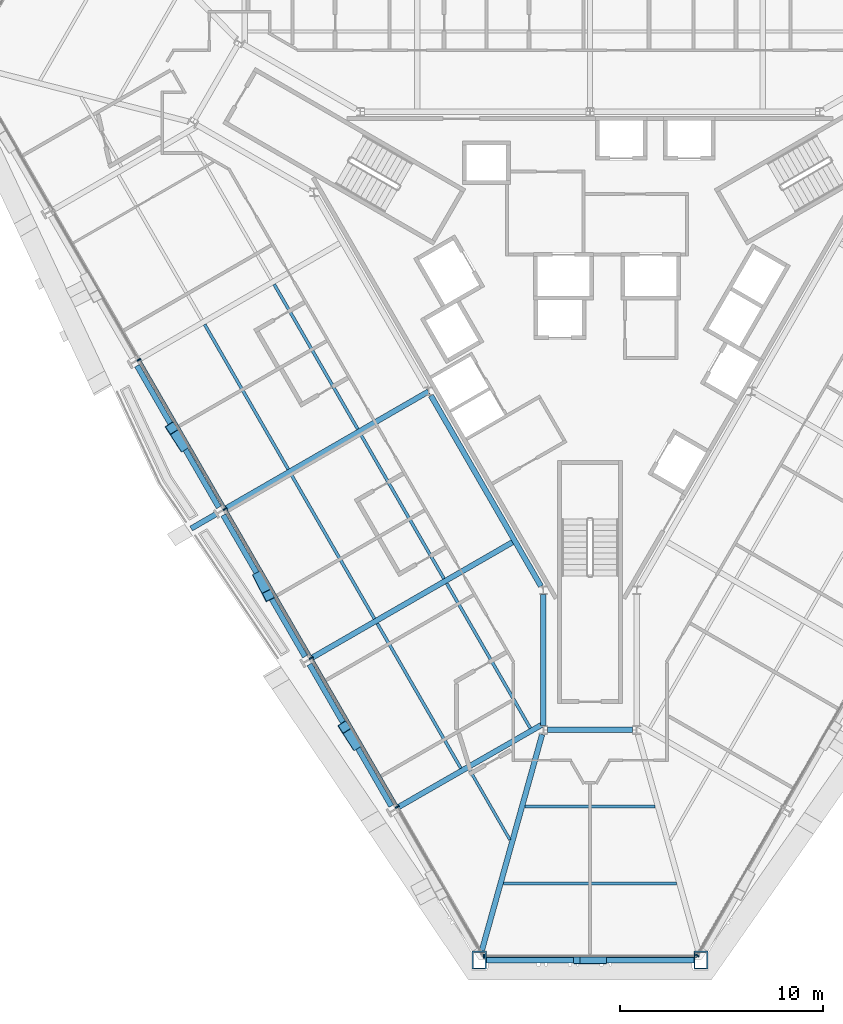
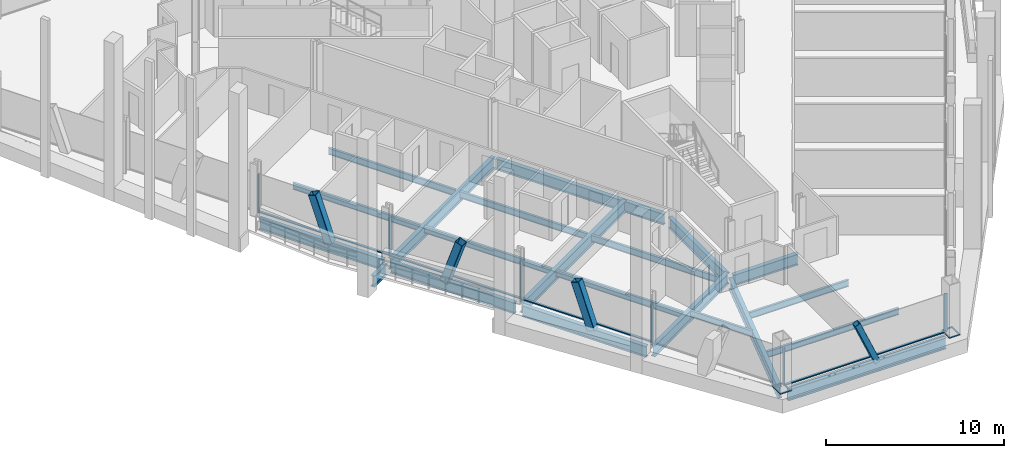
# One storey, part 3 of 18: 21 beams, 16 members, 3 elements without a shape of their own.
"""IFC4 building model written with IfcOpenShell, lengths in metres."""

from ifc_helpers import new_model, si_unit, direction, frame, origin, origin_2d, place, context, subcontext, project, spatial, rectangle, hollow_rectangle, i_section, extrude, material, material_profile, profile_set, type_object, element, aggregate, save


model = new_model("IFC4")

# Units and contexts
model_context = context("Model", 3, precision=1e-05, world=origin(), true_north=direction((0.0, 1.0)))
body_context = subcontext(model_context, "Body", "Model", "MODEL_VIEW")
ifc_project = project(units=[si_unit("LENGTHUNIT", "METRE"), si_unit("AREAUNIT", "SQUARE_METRE"), si_unit("VOLUMEUNIT", "CUBIC_METRE"), si_unit("PLANEANGLEUNIT", "RADIAN"), si_unit("MASSUNIT", "GRAM", prefix="KILO")], contexts=[model_context])

# Site, building, storey
site_placement = place(None, origin())
site = spatial("IfcSite", under=ifc_project, at=site_placement, CompositionType="ELEMENT")
building_placement = place(site_placement, origin())
building = spatial("IfcBuilding", under=site, at=building_placement, Name="Verrane Prism Tower", CompositionType="ELEMENT")
storey_placement = place(building_placement, frame((0.0, 0.0, 47.60009765625)))
storey = spatial("IfcBuildingStorey", under=building, at=storey_placement, Name="L09", CompositionType="ELEMENT", Elevation=47.60009765625)

# Member
ifc_material_1 = material(Name="Steel A500 Grade C", Category="steel")
ifc_material_profile_1 = material_profile(ifc_material_1, hollow_rectangle(XDim=0.355712890625, YDim=0.355712890625, WallThickness=0.0126953125, InnerFilletRadius=0.00634765625, OuterFilletRadius=0.01904296875, at=origin_2d()), Name="HSS14x14x1/2")
ifc_profile_set_1 = profile_set([ifc_material_profile_1], Name="Steel A500 Grade C")
member_type_1 = type_object("IfcMemberType", Name="Chamfer brace HSS14x14x1/2", PredefinedType="BRACE", material=ifc_profile_set_1)
member_1_placement = place(storey_placement, frame((0.65185546875, -32.659912109375, -0.2451171875), z_axis=(-0.3982352051, 0.0, 0.917283337589), x_axis=(0.0, -1.0, 0.0)))
element("IfcMember", 1, at=member_1_placement, inside=storey, type_object=member_type_1, Name="Chamfer brace S0 L09", PredefinedType="BRACE", context=body_context, shape_type="SweptSolid", body=[
    extrude(hollow_rectangle(XDim=0.355712890625, YDim=0.355712890625, WallThickness=0.0126953125, InnerFilletRadius=0.00634765625, OuterFilletRadius=0.01904296875, at=origin_2d()), origin(), (0.0, 0.0, 1.0), 3.273681640625),
])

# Beams
ifc_material_2 = material(Name="Steel A992", Category="steel")
ifc_material_profile_2 = material_profile(ifc_material_2, i_section(OverallWidth=0.2666015625, OverallDepth=0.76708984375, WebThickness=0.014892578125, FlangeThickness=0.023681640625, FilletRadius=0.0166015625, at=origin_2d()), Name="W30x124")
ifc_profile_set_2 = profile_set([ifc_material_profile_2], Name="Steel A992")
beam_type_1 = type_object("IfcBeamType", Name="Chamfer spandrel beam W30x124", PredefinedType="SPANDREL", material=ifc_profile_set_2)
beam_1_placement = place(storey_placement, frame((-5.1201171875, -32.659912109375, -0.543701171875), z_axis=(1.0, 0.0, 0.0), x_axis=(0.0, 1.0, 0.0)))
element("IfcBeam", 2, at=beam_1_placement, inside=storey, type_object=beam_type_1, Name="Chamfer spandrel beam L09", PredefinedType="SPANDREL", context=body_context, shape_type="SweptSolid", body=[
    extrude(i_section(OverallWidth=0.2666015625, OverallDepth=0.76708984375, WebThickness=0.014892578125, FlangeThickness=0.023681640625, FilletRadius=0.0166015625, at=origin_2d()), origin(), (0.0, 0.0, 1.0), 10.240234375),
])
ifc_material_3 = material(Name="Steel A992", Category="steel")
ifc_material_profile_3 = material_profile(ifc_material_3, i_section(OverallWidth=0.2666015625, OverallDepth=0.7568359375, WebThickness=0.013916015625, FlangeThickness=0.019287109375, FilletRadius=0.0166015625, at=origin_2d()), Name="W30x108")
ifc_profile_set_3 = profile_set([ifc_material_profile_3], Name="Steel A992")
beam_type_2 = type_object("IfcBeamType", Name="Core ring girder W30x108", PredefinedType="BEAM", material=ifc_profile_set_3)
beam_2_placement = place(storey_placement, frame((-7.849609375, -4.808349609375, -0.628662109375), z_axis=(0.500013103396, -0.866017838403, 0.0), x_axis=(0.866017838403, 0.500013103396, 0.0)))
element("IfcBeam", 3, at=beam_2_placement, inside=storey, type_object=beam_type_2, Name="Core ring girder L09", PredefinedType="BEAM", context=body_context, shape_type="SweptSolid", body=[
    extrude(i_section(OverallWidth=0.2666015625, OverallDepth=0.7568359375, WebThickness=0.013916015625, FlangeThickness=0.019287109375, FilletRadius=0.0166015625, at=origin_2d()), origin(), (0.0, 0.0, 1.0), 10.858154296875),
])
beam_3_placement = place(storey_placement, frame((-2.300048828125, -14.62841796875, -0.628662109375), z_axis=(0.0, -1.0, 0.0), x_axis=(1.0, 0.0, 0.0)))
element("IfcBeam", 4, at=beam_3_placement, inside=storey, type_object=beam_type_2, Name="Core ring girder L09", PredefinedType="BEAM", context=body_context, shape_type="SweptSolid", body=[
    extrude(i_section(OverallWidth=0.2666015625, OverallDepth=0.7568359375, WebThickness=0.013916015625, FlangeThickness=0.019287109375, FilletRadius=0.0166015625, at=origin_2d()), origin(), (0.0, 0.0, 1.0), 6.4443359375),
])
beam_4_placement = place(storey_placement, frame((-2.09033203125, -21.300048828125, -0.628662109375), z_axis=(1.0, 0.0, 0.0), x_axis=(0.0, 1.0, 0.0)))
element("IfcBeam", 5, at=beam_4_placement, inside=storey, type_object=beam_type_2, Name="Core ring girder L09", PredefinedType="BEAM", context=body_context, shape_type="SweptSolid", body=[
    extrude(i_section(OverallWidth=0.2666015625, OverallDepth=0.7568359375, WebThickness=0.013916015625, FlangeThickness=0.019287109375, FilletRadius=0.0166015625, at=origin_2d()), origin(), (0.0, 0.0, 1.0), 4.1806640625),
])
ifc_material_4 = material(Name="Steel A992", Category="steel")
ifc_material_profile_4 = material_profile(ifc_material_4, i_section(OverallWidth=0.2666015625, OverallDepth=0.76708984375, WebThickness=0.014892578125, FlangeThickness=0.023681640625, FilletRadius=0.0166015625, at=origin_2d()), Name="W30x124")
ifc_profile_set_4 = profile_set([ifc_material_profile_4], Name="Steel A992")
beam_type_3 = type_object("IfcBeamType", Name="Corner girder W30x124", PredefinedType="BEAM", material=ifc_profile_set_4)
beam_5_placement = place(storey_placement, frame((-5.344482421875, -32.2099609375, -0.603515625), z_axis=(0.268799442753, 0.963196168792, 0.0), x_axis=(-0.963196168792, 0.268799442753, 0.0)))
element("IfcBeam", 6, at=beam_5_placement, inside=storey, type_object=beam_type_3, Name="Corner girder L09", PredefinedType="BEAM", context=body_context, shape_type="SweptSolid", body=[
    extrude(i_section(OverallWidth=0.2666015625, OverallDepth=0.76708984375, WebThickness=0.014892578125, FlangeThickness=0.023681640625, FilletRadius=0.0166015625, at=origin_2d()), origin(), (0.0, 0.0, 1.0), 11.0908203125),
])

# Members
ifc_material_5 = material(Name="Steel A1085 Grade A", Category="steel")
ifc_material_profile_5 = material_profile(ifc_material_5, hollow_rectangle(XDim=0.508056640625, YDim=0.508056640625, WallThickness=0.025390625, InnerFilletRadius=0.0126953125, OuterFilletRadius=0.0380859375, at=origin_2d()), Name="HSS20x20x1")
ifc_profile_set_5 = profile_set([ifc_material_profile_5], Name="Steel A1085 Grade A")
member_type_2 = type_object("IfcMemberType", Name="Facade brace HSS20x20x1", PredefinedType="BRACE", material=ifc_profile_set_5)
for number, where, z_axis, x_axis, name in (
    (7, (-20.07958984375, -7.267578125, -0.24267578125), (-0.174534548637, 0.269986732436, 0.946913330585), (-0.839800973676, -0.542894395451, 0.0), "Facade brace SW2 L09"),
    (8, (-16.332275390625, -13.755615234375, -0.24267578125), (0.146785965567, -0.286117355919, 0.946884754843), (0.889742806834, 0.456462197436, 0.0), "Facade brace SW3 L09"),
):
    element("IfcMember", number, at=place(storey_placement, frame(where, z_axis=z_axis, x_axis=x_axis)), inside=storey, type_object=member_type_2, Name=name, PredefinedType="BRACE", context=body_context, shape_type="SweptSolid", body=[
        extrude(hollow_rectangle(XDim=0.508056640625, YDim=0.508056640625, WallThickness=0.025390625, InnerFilletRadius=0.0126953125, OuterFilletRadius=0.0380859375, at=origin_2d()), origin(), (0.0, 0.0, 1.0), 3.1767578125),
    ])
member_2_placement = place(storey_placement, frame((-11.569091796875, -22.0029296875, -0.24267578125), z_axis=(-0.172116437964, 0.266257047817, 0.94841083728), x_axis=(-0.839811088153, -0.542878749092, 0.0)))
element("IfcMember", 9, at=member_2_placement, inside=storey, type_object=member_type_2, Name="Facade brace SW4 L09", PredefinedType="BRACE", context=body_context, shape_type="SweptSolid", body=[
    extrude(hollow_rectangle(XDim=0.508056640625, YDim=0.508056640625, WallThickness=0.025390625, InnerFilletRadius=0.0126953125, OuterFilletRadius=0.0380859375, at=origin_2d()), origin(), (0.0, 0.0, 1.0), 3.171630859375),
])

# Beams
ifc_material_6 = material(Name="Steel A992", Category="steel")
ifc_material_profile_6 = material_profile(ifc_material_6, i_section(OverallWidth=0.140380859375, OverallDepth=0.40380859375, WebThickness=0.007080078125, FlangeThickness=0.01123046875, FilletRadius=0.01025390625, at=origin_2d()), Name="W16x31")
ifc_profile_set_6 = profile_set([ifc_material_profile_6], Name="Steel A992")
beam_type_4 = type_object("IfcBeamType", Name="Floor beam W16x31", PredefinedType="BEAM", material=ifc_profile_set_6)
beam_6_placement = place(storey_placement, frame((-3.950927734375, -26.719970703125, -0.362060546875), z_axis=(-0.499997556188, 0.866026814715, 0.0), x_axis=(-0.866026814715, -0.499997556188, 0.0)))
element("IfcBeam", 10, at=beam_6_placement, inside=storey, type_object=beam_type_4, Name="Floor beam L09", PredefinedType="BEAM", context=body_context, shape_type="SweptSolid", body=[
    extrude(i_section(OverallWidth=0.140380859375, OverallDepth=0.40380859375, WebThickness=0.007080078125, FlangeThickness=0.01123046875, FilletRadius=0.01025390625, at=origin_2d()), origin(), (0.0, 0.0, 1.0), 3.99462890625),
])
ifc_material_7 = material(Name="Steel A992", Category="steel")
ifc_material_profile_7 = material_profile(ifc_material_7, i_section(OverallWidth=0.15234375, OverallDepth=0.449462890625, WebThickness=0.007568359375, FlangeThickness=0.0107421875, FilletRadius=0.01025390625, at=origin_2d()), Name="W18x35")
ifc_profile_set_7 = profile_set([ifc_material_profile_7], Name="Steel A992")
beam_type_5 = type_object("IfcBeamType", Name="Floor beam W18x35", PredefinedType="BEAM", material=ifc_profile_set_7)
beam_7_placement = place(storey_placement, frame((-11.4580078125, -6.461181640625, -0.385009765625), z_axis=(-0.500002492643, 0.866023964651, 0.0), x_axis=(-0.866023964651, -0.500002492643, 0.0)))
element("IfcBeam", 11, at=beam_7_placement, inside=storey, type_object=beam_type_5, Name="Floor beam L09", PredefinedType="BEAM", context=body_context, shape_type="SweptSolid", body=[
    extrude(i_section(OverallWidth=0.15234375, OverallDepth=0.449462890625, WebThickness=0.007568359375, FlangeThickness=0.0107421875, FilletRadius=0.01025390625, at=origin_2d()), origin(), (0.0, 0.0, 1.0), 8.2509765625),
])
beam_8_placement = place(storey_placement, frame((-14.887451171875, -8.44287109375, -0.385009765625), z_axis=(-0.499992194788, 0.866029910079, 0.0), x_axis=(-0.866029910079, -0.499992194788, 0.0)))
element("IfcBeam", 12, at=beam_8_placement, inside=storey, type_object=beam_type_5, Name="Floor beam L09", PredefinedType="BEAM", context=body_context, shape_type="SweptSolid", body=[
    extrude(i_section(OverallWidth=0.15234375, OverallDepth=0.449462890625, WebThickness=0.007568359375, FlangeThickness=0.0107421875, FilletRadius=0.01025390625, at=origin_2d()), origin(), (0.0, 0.0, 1.0), 8.252685546875),
])
beam_9_placement = place(storey_placement, frame((-7.2041015625, -13.841552734375, -0.385009765625), z_axis=(-0.499999059579, 0.866025946736, 0.0), x_axis=(-0.866025946736, -0.499999059579, 0.0)))
element("IfcBeam", 13, at=beam_9_placement, inside=storey, type_object=beam_type_5, Name="Floor beam L09", PredefinedType="BEAM", context=body_context, shape_type="SweptSolid", body=[
    extrude(i_section(OverallWidth=0.15234375, OverallDepth=0.449462890625, WebThickness=0.007568359375, FlangeThickness=0.0107421875, FilletRadius=0.01025390625, at=origin_2d()), origin(), (0.0, 0.0, 1.0), 8.25146484375),
])
beam_10_placement = place(storey_placement, frame((-10.63232421875, -15.819091796875, -0.385009765625), z_axis=(-0.499994031393, 0.866028849734, 0.0), x_axis=(-0.866028849734, -0.499994031393, 0.0)))
element("IfcBeam", 14, at=beam_10_placement, inside=storey, type_object=beam_type_5, Name="Floor beam L09", PredefinedType="BEAM", context=body_context, shape_type="SweptSolid", body=[
    extrude(i_section(OverallWidth=0.15234375, OverallDepth=0.449462890625, WebThickness=0.007568359375, FlangeThickness=0.0107421875, FilletRadius=0.01025390625, at=origin_2d()), origin(), (0.0, 0.0, 1.0), 8.24853515625),
])
beam_11_placement = place(storey_placement, frame((-2.944091796875, -21.2177734375, -0.385009765625), z_axis=(-0.499989680267, 0.866031361803, 0.0), x_axis=(-0.866031361803, -0.499989680267, 0.0)))
element("IfcBeam", 15, at=beam_11_placement, inside=storey, type_object=beam_type_5, Name="Floor beam L09", PredefinedType="BEAM", context=body_context, shape_type="SweptSolid", body=[
    extrude(i_section(OverallWidth=0.15234375, OverallDepth=0.449462890625, WebThickness=0.007568359375, FlangeThickness=0.0107421875, FilletRadius=0.01025390625, at=origin_2d()), origin(), (0.0, 0.0, 1.0), 8.251220703125),
])
beam_12_placement = place(storey_placement, frame((-6.370361328125, -23.196044921875, -0.385009765625), z_axis=(-0.499992194788, 0.866029910079, 0.0), x_axis=(-0.866029910079, -0.499992194788, 0.0)))
element("IfcBeam", 16, at=beam_12_placement, inside=storey, type_object=beam_type_5, Name="Floor beam L09", PredefinedType="BEAM", context=body_context, shape_type="SweptSolid", body=[
    extrude(i_section(OverallWidth=0.15234375, OverallDepth=0.449462890625, WebThickness=0.007568359375, FlangeThickness=0.0107421875, FilletRadius=0.01025390625, at=origin_2d()), origin(), (0.0, 0.0, 1.0), 8.252685546875),
])
beam_13_placement = place(storey_placement, frame((-4.274658203125, -28.873291015625, -0.385009765625), z_axis=(1.0, 0.0, 0.0), x_axis=(0.0, 1.0, 0.0)))
element("IfcBeam", 17, at=beam_13_placement, inside=storey, type_object=beam_type_5, Name="Floor beam L09", PredefinedType="BEAM", context=body_context, shape_type="SweptSolid", body=[
    extrude(i_section(OverallWidth=0.15234375, OverallDepth=0.449462890625, WebThickness=0.007568359375, FlangeThickness=0.0107421875, FilletRadius=0.01025390625, at=origin_2d()), origin(), (0.0, 0.0, 1.0), 8.54931640625),
])
beam_14_placement = place(storey_placement, frame((-3.218017578125, -25.086669921875, -0.385009765625), z_axis=(1.0, 0.0, 0.0), x_axis=(0.0, 1.0, 0.0)))
element("IfcBeam", 18, at=beam_14_placement, inside=storey, type_object=beam_type_5, Name="Floor beam L09", PredefinedType="BEAM", context=body_context, shape_type="SweptSolid", body=[
    extrude(i_section(OverallWidth=0.15234375, OverallDepth=0.449462890625, WebThickness=0.007568359375, FlangeThickness=0.0107421875, FilletRadius=0.01025390625, at=origin_2d()), origin(), (0.0, 0.0, 1.0), 6.43603515625),
])

# Members
ifc_material_8 = material(Name="Steel A572 Grade 50", Category="steel")
ifc_material_profile_8 = material_profile(ifc_material_8, hollow_rectangle(XDim=0.699951171875, YDim=0.89990234375, WallThickness=0.06494140625, at=origin_2d()), Name="BOX 900x700x65")
ifc_profile_set_8 = profile_set([ifc_material_profile_8], Name="Steel A572 Grade 50")
member_type_3 = type_object("IfcMemberType", Name="Kink node BOX 900x700x65", PredefinedType="COLLAR", material=ifc_profile_set_8)
for number, where, z_axis, x_axis, name in (
    (19, (-5.468994140625, -32.658203125, -0.0400390625), (0.0, 0.0, 1.0), (-1.0, 0.0, 0.0), "Kink node MC3 L09"),
    (20, (5.468994140625, -32.658203125, -0.0400390625), (0.0, 0.0, 1.0), (-1.0, 0.0, 0.0), "Kink node MC3 L09"),
):
    element("IfcMember", number, at=place(storey_placement, frame(where, z_axis=z_axis, x_axis=x_axis)), inside=storey, type_object=member_type_3, Name=name, PredefinedType="COLLAR", context=body_context, shape_type="SweptSolid", body=[
        extrude(hollow_rectangle(XDim=0.699951171875, YDim=0.89990234375, WallThickness=0.06494140625, at=origin_2d()), origin(), (0.0, 0.0, 1.0), 0.079833984375),
    ])

# Curtain wall, members
ifc_material_9 = material(Name="Aluminium framed insulated glazing", Category="aluminium")
curtain_wall_type = type_object("IfcCurtainWallType", Name="Curtain wall CW-A 8400 module", PredefinedType="NOTDEFINED", material=ifc_material_9)
curtain_wall_1_placement = place(storey_placement, origin())
curtain_wall_1 = element("IfcCurtainWall", 21, at=curtain_wall_1_placement, inside=storey, type_object=curtain_wall_type, Name="Glazed curtain wall south-west face L09", PredefinedType="NOTDEFINED")
ifc_material_10 = material(Name="Aluminium alloy 6063-T6", Category="aluminium")
ifc_material_profile_9 = material_profile(ifc_material_10, rectangle(XDim=0.199951171875, YDim=0.070068359375, at=origin_2d()), Name="Mullion 70x200 aluminium")
ifc_profile_set_9 = profile_set([ifc_material_profile_9], Name="Aluminium alloy 6063-T6")
member_type_4 = type_object("IfcMemberType", Name="Mullion 70x200 aluminium", PredefinedType="MULLION", material=ifc_profile_set_9)
member_3_placement = place(storey_placement, frame((-22.25146484375, -3.04150390625, 0.0), z_axis=(0.0, 0.0, 1.0), x_axis=(0.866025694591, 0.499999496308, 0.0)))
member_3 = element("IfcMember", 22, at=member_3_placement, type_object=member_type_4, Name="CW09.4 mullion 3", PredefinedType="MULLION", context=body_context, shape_type="SweptSolid", body=[
    extrude(rectangle(XDim=0.199951171875, YDim=0.070068359375, at=origin_2d()), origin(), (0.0, 0.0, 1.0), 2.61279296875),
])
member_4_placement = place(storey_placement, frame((-18.005615234375, -10.3955078125, 0.0), z_axis=(0.0, 0.0, 1.0), x_axis=(0.866025694591, 0.499999496308, 0.0)))
member_4 = element("IfcMember", 23, at=member_4_placement, type_object=member_type_4, Name="CW09.4 mullion 4", PredefinedType="MULLION", context=body_context, shape_type="SweptSolid", body=[
    extrude(rectangle(XDim=0.199951171875, YDim=0.070068359375, at=origin_2d()), origin(), (0.0, 0.0, 1.0), 2.61279296875),
])
member_5_placement = place(storey_placement, frame((-13.759521484375, -17.74951171875, 0.0), z_axis=(0.0, 0.0, 1.0), x_axis=(0.866025694591, 0.499999496308, 0.0)))
member_5 = element("IfcMember", 24, at=member_5_placement, type_object=member_type_4, Name="CW09.4 mullion 5", PredefinedType="MULLION", context=body_context, shape_type="SweptSolid", body=[
    extrude(rectangle(XDim=0.199951171875, YDim=0.070068359375, at=origin_2d()), origin(), (0.0, 0.0, 1.0), 2.61279296875),
])
member_6_placement = place(storey_placement, frame((-9.513671875, -25.103515625, 0.0), z_axis=(0.0, 0.0, 1.0), x_axis=(0.866025694591, 0.499999496308, 0.0)))
member_6 = element("IfcMember", 25, at=member_6_placement, type_object=member_type_4, Name="CW09.4 mullion 6", PredefinedType="MULLION", context=body_context, shape_type="SweptSolid", body=[
    extrude(rectangle(XDim=0.199951171875, YDim=0.070068359375, at=origin_2d()), origin(), (0.0, 0.0, 1.0), 2.61279296875),
])

# Curtain wall, member
curtain_wall_2_placement = place(storey_placement, origin())
curtain_wall_2 = element("IfcCurtainWall", 26, at=curtain_wall_2_placement, inside=storey, type_object=curtain_wall_type, Name="Glazed curtain wall south corner L09", PredefinedType="NOTDEFINED")
member_7_placement = place(storey_placement, frame((-5.23291015625, -32.457763671875, 0.0), z_axis=(0.0, 0.0, 1.0), x_axis=(0.0, 1.0, 0.0)))
member_7 = element("IfcMember", 27, at=member_7_placement, type_object=member_type_4, Name="CW09.5 mullion 1", PredefinedType="MULLION", context=body_context, shape_type="SweptSolid", body=[
    extrude(rectangle(XDim=0.199951171875, YDim=0.070068359375, at=origin_2d()), origin(), (0.0, 0.0, 1.0), 2.61279296875),
])

curtain_wall_3_placement = place(storey_placement, origin())
curtain_wall_3 = element("IfcCurtainWall", 28, at=curtain_wall_3_placement, inside=storey, type_object=curtain_wall_type, Name="Glazed curtain wall south-east face L09", PredefinedType="NOTDEFINED")
member_8_placement = place(storey_placement, frame((5.285400390625, -32.427490234375, 0.0), z_axis=(0.0, 0.0, 1.0), x_axis=(-0.866025694591, 0.499999496308, 0.0)))
member_8 = element("IfcMember", 29, at=member_8_placement, type_object=member_type_4, Name="CW09.6 mullion 1", PredefinedType="MULLION", context=body_context, shape_type="SweptSolid", body=[
    extrude(rectangle(XDim=0.199951171875, YDim=0.070068359375, at=origin_2d()), origin(), (0.0, 0.0, 1.0), 2.61279296875),
])
aggregate(curtain_wall_3, [member_8])

# Beams
ifc_material_11 = material(Name="Steel A992", Category="steel")
ifc_material_profile_10 = material_profile(ifc_material_11, i_section(OverallWidth=0.2666015625, OverallDepth=0.76708984375, WebThickness=0.014892578125, FlangeThickness=0.023681640625, FilletRadius=0.0166015625, at=origin_2d()), Name="W30x124")
ifc_profile_set_10 = profile_set([ifc_material_profile_10], Name="Steel A992")
beam_type_6 = type_object("IfcBeamType", Name="Radial girder W30x124", PredefinedType="BEAM", material=ifc_profile_set_10)
beam_15_placement = place(storey_placement, frame((-17.97607421875, -10.380126953125, -0.603515625), z_axis=(0.866083212805, 0.499899858468, 0.0), x_axis=(-0.499899858468, 0.866083212805, 0.0)))
element("IfcBeam", 30, at=beam_15_placement, inside=storey, type_object=beam_type_6, Name="Radial girder L09", PredefinedType="BEAM", context=body_context, shape_type="SweptSolid", body=[
    extrude(i_section(OverallWidth=0.2666015625, OverallDepth=0.76708984375, WebThickness=0.014892578125, FlangeThickness=0.023681640625, FilletRadius=0.0166015625, at=origin_2d()), origin(), (0.0, 0.0, 1.0), 11.555419921875),
])
beam_16_placement = place(storey_placement, frame((-13.720947265625, -17.74365234375, -0.603515625), z_axis=(0.866434923472, 0.499290019316, 0.0), x_axis=(-0.499290019316, 0.866434923472, 0.0)))
element("IfcBeam", 31, at=beam_16_placement, inside=storey, type_object=beam_type_6, Name="Radial girder L09", PredefinedType="BEAM", context=body_context, shape_type="SweptSolid", body=[
    extrude(i_section(OverallWidth=0.2666015625, OverallDepth=0.76708984375, WebThickness=0.014892578125, FlangeThickness=0.023681640625, FilletRadius=0.0166015625, at=origin_2d()), origin(), (0.0, 0.0, 1.0), 11.552490234375),
])
beam_17_placement = place(storey_placement, frame((-9.4658203125, -25.115478515625, -0.603515625), z_axis=(0.867172055993, 0.498008659869, 0.0), x_axis=(-0.498008659869, 0.867172055993, 0.0)))
element("IfcBeam", 32, at=beam_17_placement, inside=storey, type_object=beam_type_6, Name="Radial girder L09", PredefinedType="BEAM", context=body_context, shape_type="SweptSolid", body=[
    extrude(i_section(OverallWidth=0.2666015625, OverallDepth=0.76708984375, WebThickness=0.014892578125, FlangeThickness=0.023681640625, FilletRadius=0.0166015625, at=origin_2d()), origin(), (0.0, 0.0, 1.0), 8.263427734375),
])
beam_18_placement = place(storey_placement, frame((-18.431640625, -10.64501953125, -0.603515625), z_axis=(-0.866083868743, -0.499898722045, 0.0), x_axis=(0.499898722045, -0.866083868743, 0.0)))
element("IfcBeam", 33, at=beam_18_placement, inside=storey, type_object=beam_type_6, Name="Cantilever girder L09", PredefinedType="BEAM", context=body_context, shape_type="SweptSolid", body=[
    extrude(i_section(OverallWidth=0.2666015625, OverallDepth=0.76708984375, WebThickness=0.014892578125, FlangeThickness=0.023681640625, FilletRadius=0.0166015625, at=origin_2d()), origin(), (0.0, 0.0, 1.0), 1.438720703125),
])
ifc_material_12 = material(Name="Steel A992", Category="steel")
ifc_material_profile_11 = material_profile(ifc_material_12, i_section(OverallWidth=0.2666015625, OverallDepth=0.7568359375, WebThickness=0.013916015625, FlangeThickness=0.019287109375, FilletRadius=0.0166015625, at=origin_2d()), Name="W30x108")
ifc_profile_set_11 = profile_set([ifc_material_profile_11], Name="Steel A992")
beam_type_7 = type_object("IfcBeamType", Name="Spandrel beam W30x108", PredefinedType="SPANDREL", material=ifc_profile_set_11)
beam_19_placement = place(storey_placement, frame((-22.350341796875, -3.33447265625, -0.53857421875), z_axis=(0.499995747913, -0.866027858714, 0.0), x_axis=(0.866027858714, 0.499995747913, 0.0)))
element("IfcBeam", 34, at=beam_19_placement, inside=storey, type_object=beam_type_7, Name="Spandrel beam L09", PredefinedType="SPANDREL", context=body_context, shape_type="SweptSolid", body=[
    extrude(i_section(OverallWidth=0.2666015625, OverallDepth=0.7568359375, WebThickness=0.013916015625, FlangeThickness=0.019287109375, FilletRadius=0.0166015625, at=origin_2d()), origin(), (0.0, 0.0, 1.0), 8.06787109375),
])
beam_20_placement = place(storey_placement, frame((-18.095458984375, -10.7041015625, -0.53857421875), z_axis=(0.500336623232, -0.865830967021, 0.0), x_axis=(0.865830967021, 0.500336623232, 0.0)))
element("IfcBeam", 35, at=beam_20_placement, inside=storey, type_object=beam_type_7, Name="Spandrel beam L09", PredefinedType="SPANDREL", context=body_context, shape_type="SweptSolid", body=[
    extrude(i_section(OverallWidth=0.2666015625, OverallDepth=0.7568359375, WebThickness=0.013916015625, FlangeThickness=0.019287109375, FilletRadius=0.0166015625, at=origin_2d()), origin(), (0.0, 0.0, 1.0), 8.0625),
])
beam_21_placement = place(storey_placement, frame((-13.840576171875, -18.0673828125, -0.53857421875), z_axis=(0.499890941057, -0.86608835984, 0.0), x_axis=(0.86608835984, 0.499890941057, 0.0)))
element("IfcBeam", 36, at=beam_21_placement, inside=storey, type_object=beam_type_7, Name="Spandrel beam L09", PredefinedType="SPANDREL", context=body_context, shape_type="SweptSolid", body=[
    extrude(i_section(OverallWidth=0.2666015625, OverallDepth=0.7568359375, WebThickness=0.013916015625, FlangeThickness=0.019287109375, FilletRadius=0.0166015625, at=origin_2d()), origin(), (0.0, 0.0, 1.0), 8.069580078125),
])

# Member
ifc_material_13 = material(Name="Aluminium alloy 6063-T6", Category="aluminium")
ifc_material_profile_12 = material_profile(ifc_material_13, rectangle(XDim=0.14990234375, YDim=0.070068359375, at=origin_2d()), Name="Transom 70x150 aluminium")
ifc_profile_set_12 = profile_set([ifc_material_profile_12], Name="Aluminium alloy 6063-T6")
member_type_5 = type_object("IfcMemberType", Name="Transom 70x150 aluminium", PredefinedType="USERDEFINED", material=ifc_profile_set_12)
member_9_placement = place(storey_placement, frame((-22.23388671875, -3.07177734375, 0.034912109375), z_axis=(0.500005175824, -0.866022415501, 0.0), x_axis=(0.866022415501, 0.500005175824, 0.0)))
member_9 = element("IfcMember", 37, at=member_9_placement, type_object=member_type_5, Name="CW09.4 transom 3", ObjectType="TRANSOM", PredefinedType="USERDEFINED", context=body_context, shape_type="SweptSolid", body=[
    extrude(rectangle(XDim=0.14990234375, YDim=0.070068359375, at=origin_2d()), origin(), (0.0, 0.0, 1.0), 8.421875),
])

member_10_placement = place(storey_placement, frame((-17.988037109375, -10.42578125, 0.034912109375), z_axis=(0.500005175824, -0.866022415501, 0.0), x_axis=(0.866022415501, 0.500005175824, 0.0)))
member_10 = element("IfcMember", 38, at=member_10_placement, type_object=member_type_5, Name="CW09.4 transom 4", ObjectType="TRANSOM", PredefinedType="USERDEFINED", context=body_context, shape_type="SweptSolid", body=[
    extrude(rectangle(XDim=0.14990234375, YDim=0.070068359375, at=origin_2d()), origin(), (0.0, 0.0, 1.0), 8.421875),
])

member_11_placement = place(storey_placement, frame((-13.7421875, -17.77978515625, 0.034912109375), z_axis=(0.500005175824, -0.866022415501, 0.0), x_axis=(0.866022415501, 0.500005175824, 0.0)))
member_11 = element("IfcMember", 39, at=member_11_placement, type_object=member_type_5, Name="CW09.4 transom 5", ObjectType="TRANSOM", PredefinedType="USERDEFINED", context=body_context, shape_type="SweptSolid", body=[
    extrude(rectangle(XDim=0.14990234375, YDim=0.070068359375, at=origin_2d()), origin(), (0.0, 0.0, 1.0), 8.421875),
])

aggregate(curtain_wall_1, [member_3, member_4, member_5, member_6, member_9, member_10, member_11])

member_12_placement = place(storey_placement, frame((-5.197998046875, -32.457763671875, 0.034912109375), z_axis=(1.0, 0.0, 0.0), x_axis=(0.0, 1.0, 0.0)))
member_12 = element("IfcMember", 40, at=member_12_placement, type_object=member_type_5, Name="CW09.5 transom 1", ObjectType="TRANSOM", PredefinedType="USERDEFINED", context=body_context, shape_type="SweptSolid", body=[
    extrude(rectangle(XDim=0.14990234375, YDim=0.070068359375, at=origin_2d()), origin(), (0.0, 0.0, 1.0), 10.4658203125),
])

aggregate(curtain_wall_2, [member_7, member_12])

save(model, "model.ifc")
